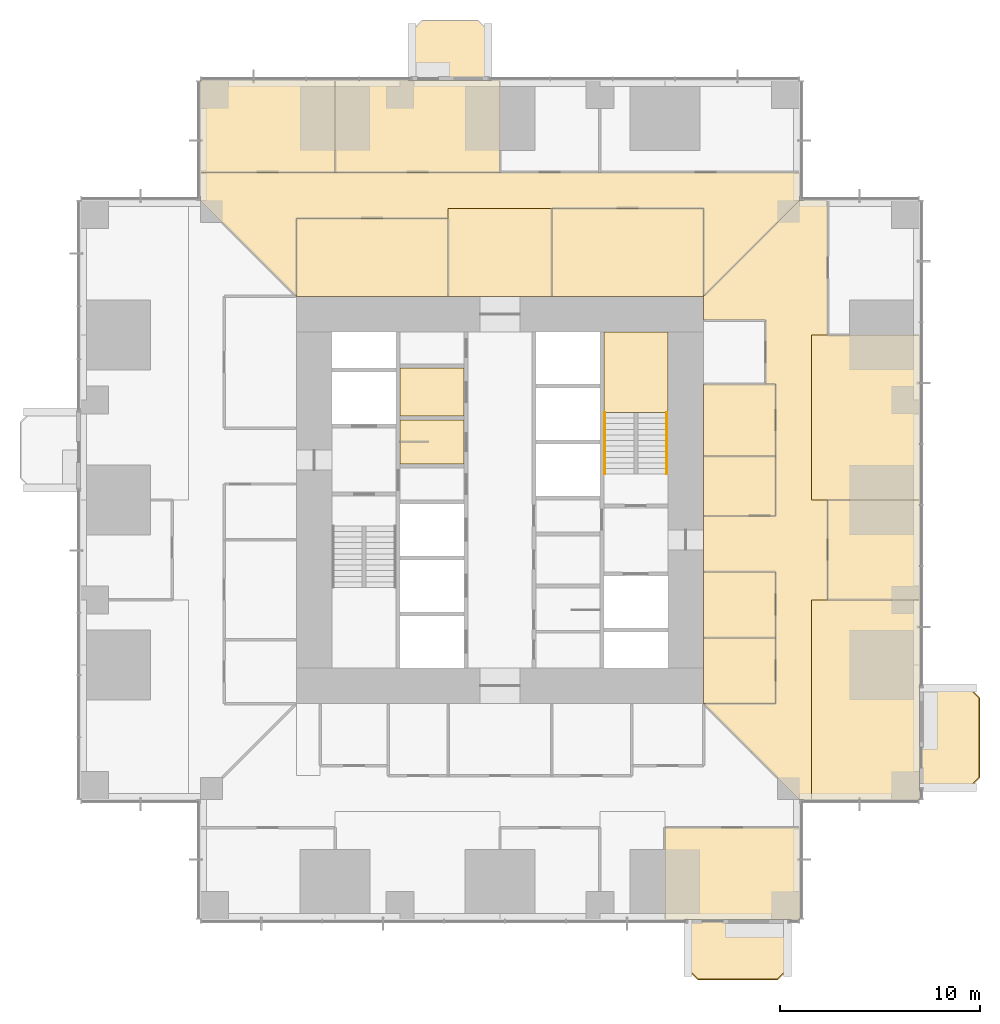
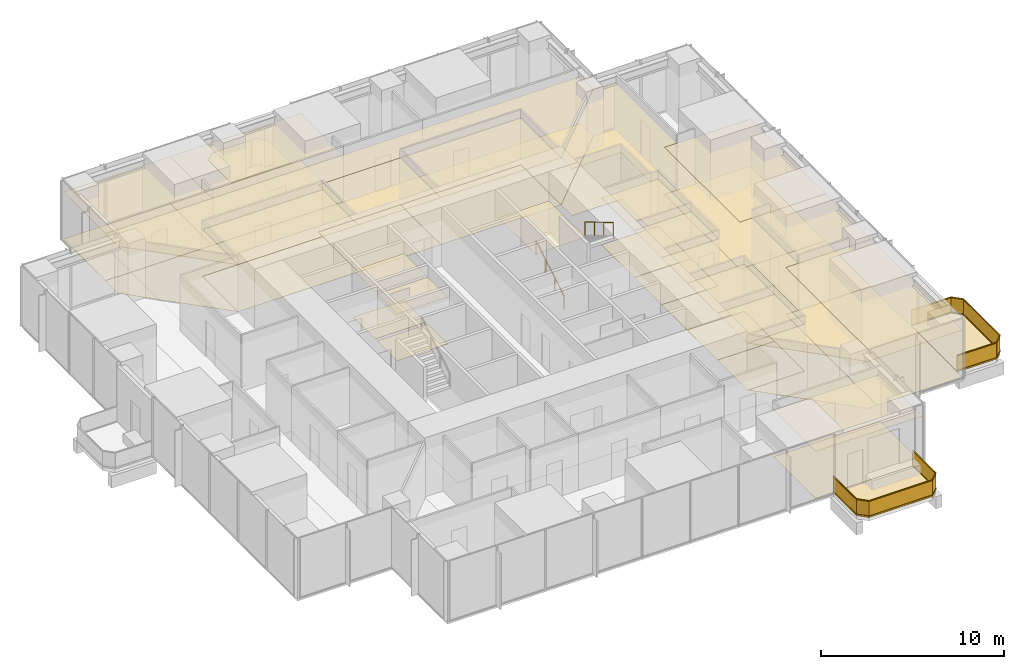
# One storey, part 14 of 16: 38 coverings, 4 railings.
"""IFC4 building model written with IfcOpenShell, lengths in metres."""

import ifcopenshell
import ifcopenshell.guid

model = None  # the IFC model being written
_history = None  # IfcOwnerHistory: only IFC2X3 demands one
_inside = {}  # id of a spatial element -> (the spatial element, [elements in it])
_under = {}  # id of a project, library or spatial element -> (it, [spatial elements below it])
_declared = {}  # id of a project -> (the project, [libraries it declares])
_typed = {}  # id of a type object -> (the type object, [elements of that type])
_made_of = {}  # id of a material, layer set ... -> (it, [elements and type objects made of it])


def new_model(schema):
    """Start an empty IFC model of exactly this schema.

    Asked for "IFC4X3", IfcOpenShell would pick the latest addendum, in which some entities
    have other attributes; the version numbers below select the first issue.
    IFC2X3 requires an IfcOwnerHistory on every rooted entity: one is made here for all.
    """
    global model, _history
    if schema == "IFC4X3":
        model = ifcopenshell.file(schema_version=(4, 3, 0, 0))
    else:
        model = ifcopenshell.file(schema=schema)
    _inside.clear()
    _under.clear()
    _declared.clear()
    _typed.clear()
    _made_of.clear()
    _history = None
    if model.schema == "IFC2X3":
        org = make("IfcOrganization", Name="unknown")
        user = make(
            "IfcPersonAndOrganization",
            ThePerson=make("IfcPerson", FamilyName="unknown"),
            TheOrganization=org,
        )
        app = make(
            "IfcApplication",
            ApplicationDeveloper=org,
            Version="unknown",
            ApplicationFullName="unknown",
            ApplicationIdentifier="unknown",
        )
        _history = make(
            "IfcOwnerHistory",
            OwningUser=user,
            OwningApplication=app,
            ChangeAction="ADDED",
            CreationDate=0,
        )
    return model


def make(cls, **values):
    """One entity of the class cls with the attributes given. An attribute that is None is left unset."""
    return model.create_entity(
        cls, **{name: value for name, value in values.items() if value is not None}
    )


def rooted(cls, **values):
    """An entity with a GlobalId (a new one), such as an element, a storey or a relation."""
    return make(cls, GlobalId=ifcopenshell.guid.new(), OwnerHistory=_history, **values)


def si_unit(unit_type, name, prefix=None):
    """IfcSIUnit, for example si_unit("LENGTHUNIT", "METRE", prefix="MILLI")."""
    return make("IfcSIUnit", UnitType=unit_type, Prefix=prefix, Name=name)


def assignment(units):
    """IfcUnitAssignment: the units of a project."""
    return None if units is None else make("IfcUnitAssignment", Units=units)


def point(xyz):
    """IfcCartesianPoint."""
    return None if xyz is None else make("IfcCartesianPoint", Coordinates=xyz)


def direction(xyz):
    """IfcDirection."""
    return None if xyz is None else make("IfcDirection", DirectionRatios=xyz)


def frame(location, z_axis=None, x_axis=None):
    """IfcAxis2Placement3D, a coordinate frame: its origin and axes. An axis left out is left unset."""
    return make(
        "IfcAxis2Placement3D",
        Location=point(location),
        Axis=direction(z_axis),
        RefDirection=direction(x_axis),
    )


def frame_2d(location, x_axis=None):
    """IfcAxis2Placement2D, a coordinate frame in the plane: its origin and x axis."""
    return make(
        "IfcAxis2Placement2D", Location=point(location), RefDirection=direction(x_axis)
    )


def origin():
    """The frame at (0, 0, 0) with its axes left unset."""
    return frame((0.0, 0.0, 0.0))


def origin_2d():
    """The frame at (0, 0) in the plane with its x axis left unset."""
    return frame_2d((0.0, 0.0))


def place(relative_to, where):
    """IfcLocalPlacement: puts the frame where relative to a parent placement (None: the world)."""
    return make(
        "IfcLocalPlacement", PlacementRelTo=relative_to, RelativePlacement=where
    )


def context(
    kind, dimensions, precision=None, world=None, true_north=None, identifier=None
):
    """IfcGeometricRepresentationContext, for example the 3D "Model" context."""
    return make(
        "IfcGeometricRepresentationContext",
        ContextIdentifier=identifier,
        ContextType=kind,
        CoordinateSpaceDimension=dimensions,
        Precision=precision,
        WorldCoordinateSystem=world,
        TrueNorth=true_north,
    )


def subcontext(parent, identifier, kind, view, scale=None):
    """IfcGeometricRepresentationSubContext, for example "Body" below "Model"."""
    return make(
        "IfcGeometricRepresentationSubContext",
        ContextIdentifier=identifier,
        ContextType=kind,
        ParentContext=parent,
        TargetScale=scale,
        TargetView=view,
    )


def project(units=None, contexts=None):
    """IfcProject with its units and contexts."""
    return rooted(
        "IfcProject",
        Name="project",
        RepresentationContexts=contexts,
        UnitsInContext=assignment(units),
    )


def spatial(cls, under=None, at=None, **own):
    """A site, building, storey or space (cls), placed at a placement, below another one or the project."""
    s = rooted(cls, ObjectPlacement=at, **own)
    if under is not None:
        _under.setdefault(under.id(), (under, []))[1].append(s)
    return s


def polyline(points):
    """IfcPolyline through the points."""
    return make("IfcPolyline", Points=[point(p) for p in points])


def profile(cls, at=None, kind="AREA", **sizes):
    """A parametric profile (cls). Its sizes go by their IFC names, for example OverallWidth=200.0."""
    return make(cls, ProfileType=kind, Position=at, **sizes)


def rectangle(**sizes):
    """IfcRectangleProfileDef."""
    return profile("IfcRectangleProfileDef", **sizes)


def circle(**sizes):
    """IfcCircleProfileDef."""
    return profile("IfcCircleProfileDef", **sizes)


def outline(outer, holes=None, kind="AREA"):
    """IfcArbitraryClosedProfileDef: a profile drawn as a closed curve; with holes, ...WithVoids."""
    if holes is None:
        return make("IfcArbitraryClosedProfileDef", ProfileType=kind, OuterCurve=outer)
    return make(
        "IfcArbitraryProfileDefWithVoids",
        ProfileType=kind,
        OuterCurve=outer,
        InnerCurves=holes,
    )


def extrude(swept, where, along, depth):
    """IfcExtrudedAreaSolid: the profile swept, set in the frame where, extruded along a direction by depth."""
    return make(
        "IfcExtrudedAreaSolid",
        SweptArea=swept,
        Position=where,
        ExtrudedDirection=direction(along),
        Depth=depth,
    )


def shape(context_of_items, identifier, shape_type, items):
    """IfcShapeRepresentation: the items that make up one representation, for example the "Body"."""
    return make(
        "IfcShapeRepresentation",
        ContextOfItems=context_of_items,
        RepresentationIdentifier=identifier,
        RepresentationType=shape_type,
        Items=items,
    )


def material(Name=None, Category=None):
    """IfcMaterial."""
    return make("IfcMaterial", Name=Name, Category=Category)


def layer(
    of_material, thickness, ventilated=None, Name=None, Category=None, Priority=None
):
    """IfcMaterialLayer: one layer of a wall or slab, of a material (None: an air gap)."""
    return make(
        "IfcMaterialLayer",
        Material=of_material,
        LayerThickness=thickness,
        IsVentilated=ventilated,
        Name=Name,
        Category=Category,
        Priority=Priority,
    )


def layer_set(layers, Name=None):
    """IfcMaterialLayerSet."""
    return make("IfcMaterialLayerSet", MaterialLayers=layers, LayerSetName=Name)


def made_of(thing, what):
    """Note that an element or type object is made of a material, layer set ...; save() writes the relation."""
    if what is not None:
        _made_of.setdefault(what.id(), (what, []))[1].append(thing)
    return thing


def type_object(cls, material=None, **own):
    """A type object (cls), such as IfcWallType, which elements share."""
    return made_of(rooted(cls, **own), material)


def element(
    cls,
    number,
    at=None,
    inside=None,
    cuts=None,
    type_object=None,
    material=None,
    context=None,
    identifier="Body",
    shape_type=None,
    held_by="IfcProductDefinitionShape",
    body=None,
    shapes=None,
    **own,
):
    """One element of the class cls, such as IfcWall. Its Tag is "e" and its number.

    at: its placement. inside: the storey or other place that contains it. cuts: it is an
    opening in that element (IfcRelVoidsElement). A single representation is given by context,
    identifier, shape_type and body (its items); several are given by shapes. held_by: the class
    of the entity that holds the representations. save() writes the other relations.
    """
    e = rooted(cls, Tag="e%d" % number, ObjectPlacement=at, **own)
    if body is not None:
        shapes = [shape(context, identifier, shape_type, body)]
    if shapes is not None:
        e.Representation = make(held_by, Representations=shapes)
    if inside is not None:
        _inside.setdefault(inside.id(), (inside, []))[1].append(e)
    if cuts is not None:
        rooted(
            "IfcRelVoidsElement", RelatingBuildingElement=cuts, RelatedOpeningElement=e
        )
    if type_object is not None:
        _typed.setdefault(type_object.id(), (type_object, []))[1].append(e)
    return made_of(e, material)


def aggregate(whole, parts):
    """IfcRelAggregates: a whole, such as a stair, and the parts it consists of."""
    return rooted("IfcRelAggregates", RelatingObject=whole, RelatedObjects=parts)


def save(model, path):
    """Write the relations noted so far, then the file.

    IfcRelAggregates (storeys below a building ...), IfcRelContainedInSpatialStructure (elements
    in a storey), IfcRelDefinesByType, IfcRelAssociatesMaterial and IfcRelDeclares: one each for
    every whole, place, type object, material and project.
    """
    for whole, parts in _under.values():
        aggregate(whole, parts)
    for where, things in _inside.values():
        rooted(
            "IfcRelContainedInSpatialStructure",
            RelatedElements=things,
            RelatingStructure=where,
        )
    for kind, things in _typed.values():
        rooted("IfcRelDefinesByType", RelatedObjects=things, RelatingType=kind)
    for what, things in _made_of.values():
        rooted("IfcRelAssociatesMaterial", RelatedObjects=things, RelatingMaterial=what)
    for by, libraries in _declared.values():
        rooted("IfcRelDeclares", RelatingContext=by, RelatedDefinitions=libraries)
    model.write(path)


model = new_model("IFC4")

# Units and contexts
model_context = context("Model", 3, precision=1e-05, world=origin(), true_north=direction((0.0, 1.0)))
body_context = subcontext(model_context, "Body", "Model", "MODEL_VIEW")
ifc_project = project(units=[si_unit("LENGTHUNIT", "METRE"), si_unit("AREAUNIT", "SQUARE_METRE"), si_unit("VOLUMEUNIT", "CUBIC_METRE"), si_unit("PLANEANGLEUNIT", "RADIAN"), si_unit("MASSUNIT", "GRAM", prefix="KILO")], contexts=[model_context])

# Site, building, storey
site_placement = place(None, origin())
site = spatial("IfcSite", under=ifc_project, at=site_placement, CompositionType="ELEMENT")
building_placement = place(site_placement, origin())
building = spatial("IfcBuilding", under=site, at=building_placement, Name="Svetlomir Tower", CompositionType="ELEMENT")
storey_placement = place(building_placement, frame((0.0, 0.0, 50.5)))
storey = spatial("IfcBuildingStorey", under=building, at=storey_placement, Name="L11", CompositionType="ELEMENT", Elevation=50.5)

# Railings
ifc_material_1 = material(Name="Bronze anodised aluminium and laminated glass", Category="aluminium")
railing_type_1 = type_object("IfcRailingType", Name="BALCONY GUARD GR1 1100", PredefinedType="GUARDRAIL", material=ifc_material_1)
railing_1_placement = place(storey_placement, frame((30.39990234375, 0.0, 0.0)))
element("IfcRailing", 1, at=railing_1_placement, inside=storey, type_object=railing_type_1, Name="Balcony guard S L11", PredefinedType="GUARDRAIL", context=body_context, shape_type="SweptSolid", body=[
    extrude(rectangle(XDim=0.06005859375, YDim=0.10009765625, at=origin_2d()), frame((0.0, 0.0, 0.050048828125), z_axis=(0.0, -1.0, 0.0), x_axis=(1.0, 0.0, 0.0)), (0.0, 0.0, 1.0), 2.5),
    extrude(rectangle(XDim=0.021484375, YDim=0.960205078125, at=origin_2d()), frame((0.0, 0.0, 0.580078125), z_axis=(0.0, -1.0, 0.0), x_axis=(1.0, 0.0, 0.0)), (0.0, 0.0, 1.0), 2.5),
    extrude(rectangle(XDim=0.06005859375, YDim=0.0400390625, at=origin_2d()), frame((0.0, 0.0, 1.080078125), z_axis=(0.0, -1.0, 0.0), x_axis=(1.0, 0.0, 0.0)), (0.0, 0.0, 1.0), 2.5),
    extrude(rectangle(XDim=0.06005859375, YDim=0.10009765625, at=origin_2d()), frame((0.0, -2.5, 0.050048828125), z_axis=(0.707106781187, -0.707106781187, 0.0), x_axis=(0.707106781187, 0.707106781187, 0.0)), (0.0, 0.0, 1.0), 0.70703125),
    extrude(rectangle(XDim=0.021484375, YDim=0.960205078125, at=origin_2d()), frame((0.0, -2.5, 0.580078125), z_axis=(0.707106781187, -0.707106781187, 0.0), x_axis=(0.707106781187, 0.707106781187, 0.0)), (0.0, 0.0, 1.0), 0.70703125),
    extrude(rectangle(XDim=0.06005859375, YDim=0.0400390625, at=origin_2d()), frame((0.0, -2.5, 1.080078125), z_axis=(0.707106781187, -0.707106781187, 0.0), x_axis=(0.707106781187, 0.707106781187, 0.0)), (0.0, 0.0, 1.0), 0.70703125),
    extrude(rectangle(XDim=0.06005859375, YDim=0.10009765625, at=origin_2d()), frame((0.5, -3.0, 0.050048828125), z_axis=(1.0, 0.0, 0.0), x_axis=(0.0, 1.0, 0.0)), (0.0, 0.0, 1.0), 4.0),
    extrude(rectangle(XDim=0.021484375, YDim=0.960205078125, at=origin_2d()), frame((0.5, -3.0, 0.580078125), z_axis=(1.0, 0.0, 0.0), x_axis=(0.0, 1.0, 0.0)), (0.0, 0.0, 1.0), 4.0),
    extrude(rectangle(XDim=0.06005859375, YDim=0.0400390625, at=origin_2d()), frame((0.5, -3.0, 1.080078125), z_axis=(1.0, 0.0, 0.0), x_axis=(0.0, 1.0, 0.0)), (0.0, 0.0, 1.0), 4.0),
    extrude(rectangle(XDim=0.06005859375, YDim=0.10009765625, at=origin_2d()), frame((4.5, -3.0, 0.050048828125), z_axis=(0.707106781187, 0.707106781187, 0.0), x_axis=(-0.707106781187, 0.707106781187, 0.0)), (0.0, 0.0, 1.0), 0.70703125),
    extrude(rectangle(XDim=0.021484375, YDim=0.960205078125, at=origin_2d()), frame((4.5, -3.0, 0.580078125), z_axis=(0.707106781187, 0.707106781187, 0.0), x_axis=(-0.707106781187, 0.707106781187, 0.0)), (0.0, 0.0, 1.0), 0.70703125),
    extrude(rectangle(XDim=0.06005859375, YDim=0.0400390625, at=origin_2d()), frame((4.5, -3.0, 1.080078125), z_axis=(0.707106781187, 0.707106781187, 0.0), x_axis=(-0.707106781187, 0.707106781187, 0.0)), (0.0, 0.0, 1.0), 0.70703125),
    extrude(rectangle(XDim=0.06005859375, YDim=0.10009765625, at=origin_2d()), frame((5.0, -2.5, 0.050048828125), z_axis=(0.0, 1.0, 0.0), x_axis=(-1.0, 0.0, 0.0)), (0.0, 0.0, 1.0), 2.5),
    extrude(rectangle(XDim=0.021484375, YDim=0.960205078125, at=origin_2d()), frame((5.0, -2.5, 0.580078125), z_axis=(0.0, 1.0, 0.0), x_axis=(-1.0, 0.0, 0.0)), (0.0, 0.0, 1.0), 2.5),
    extrude(rectangle(XDim=0.06005859375, YDim=0.0400390625, at=origin_2d()), frame((5.0, -2.5, 1.080078125), z_axis=(0.0, 1.0, 0.0), x_axis=(-1.0, 0.0, 0.0)), (0.0, 0.0, 1.0), 2.5),
])
railing_2_placement = place(storey_placement, frame((42.0, 6.60009765625, 0.0)))
element("IfcRailing", 2, at=railing_2_placement, inside=storey, type_object=railing_type_1, Name="Balcony guard E L11", PredefinedType="GUARDRAIL", context=body_context, shape_type="SweptSolid", body=[
    extrude(rectangle(XDim=0.06005859375, YDim=0.10009765625, at=origin_2d()), frame((0.0, 0.0, 0.050048828125), z_axis=(1.0, 0.0, 0.0), x_axis=(0.0, 1.0, 0.0)), (0.0, 0.0, 1.0), 2.5),
    extrude(rectangle(XDim=0.021484375, YDim=0.960205078125, at=origin_2d()), frame((0.0, 0.0, 0.580078125), z_axis=(1.0, 0.0, 0.0), x_axis=(0.0, 1.0, 0.0)), (0.0, 0.0, 1.0), 2.5),
    extrude(rectangle(XDim=0.06005859375, YDim=0.0400390625, at=origin_2d()), frame((0.0, 0.0, 1.080078125), z_axis=(1.0, 0.0, 0.0), x_axis=(0.0, 1.0, 0.0)), (0.0, 0.0, 1.0), 2.5),
    extrude(rectangle(XDim=0.06005859375, YDim=0.10009765625, at=origin_2d()), frame((2.5, 0.0, 0.050048828125), z_axis=(0.707106781187, 0.707106781187, 0.0), x_axis=(-0.707106781187, 0.707106781187, 0.0)), (0.0, 0.0, 1.0), 0.70703125),
    extrude(rectangle(XDim=0.021484375, YDim=0.960205078125, at=origin_2d()), frame((2.5, 0.0, 0.580078125), z_axis=(0.707106781187, 0.707106781187, 0.0), x_axis=(-0.707106781187, 0.707106781187, 0.0)), (0.0, 0.0, 1.0), 0.70703125),
    extrude(rectangle(XDim=0.06005859375, YDim=0.0400390625, at=origin_2d()), frame((2.5, 0.0, 1.080078125), z_axis=(0.707106781187, 0.707106781187, 0.0), x_axis=(-0.707106781187, 0.707106781187, 0.0)), (0.0, 0.0, 1.0), 0.70703125),
    extrude(rectangle(XDim=0.06005859375, YDim=0.10009765625, at=origin_2d()), frame((3.0, 0.5, 0.050048828125), z_axis=(0.0, 1.0, 0.0), x_axis=(-1.0, 0.0, 0.0)), (0.0, 0.0, 1.0), 4.0),
    extrude(rectangle(XDim=0.021484375, YDim=0.960205078125, at=origin_2d()), frame((3.0, 0.5, 0.580078125), z_axis=(0.0, 1.0, 0.0), x_axis=(-1.0, 0.0, 0.0)), (0.0, 0.0, 1.0), 4.0),
    extrude(rectangle(XDim=0.06005859375, YDim=0.0400390625, at=origin_2d()), frame((3.0, 0.5, 1.080078125), z_axis=(0.0, 1.0, 0.0), x_axis=(-1.0, 0.0, 0.0)), (0.0, 0.0, 1.0), 4.0),
    extrude(rectangle(XDim=0.06005859375, YDim=0.10009765625, at=origin_2d()), frame((3.0, 4.5, 0.050048828125), z_axis=(-0.707106781187, 0.707106781187, 0.0), x_axis=(-0.707106781187, -0.707106781187, 0.0)), (0.0, 0.0, 1.0), 0.70703125),
    extrude(rectangle(XDim=0.021484375, YDim=0.960205078125, at=origin_2d()), frame((3.0, 4.5, 0.580078125), z_axis=(-0.707106781187, 0.707106781187, 0.0), x_axis=(-0.707106781187, -0.707106781187, 0.0)), (0.0, 0.0, 1.0), 0.70703125),
    extrude(rectangle(XDim=0.06005859375, YDim=0.0400390625, at=origin_2d()), frame((3.0, 4.5, 1.080078125), z_axis=(-0.707106781187, 0.707106781187, 0.0), x_axis=(-0.707106781187, -0.707106781187, 0.0)), (0.0, 0.0, 1.0), 0.70703125),
    extrude(rectangle(XDim=0.06005859375, YDim=0.10009765625, at=origin_2d()), frame((2.5, 5.0, 0.050048828125), z_axis=(-1.0, 0.0, 0.0), x_axis=(0.0, -1.0, 0.0)), (0.0, 0.0, 1.0), 2.5),
    extrude(rectangle(XDim=0.021484375, YDim=0.960205078125, at=origin_2d()), frame((2.5, 5.0, 0.580078125), z_axis=(-1.0, 0.0, 0.0), x_axis=(0.0, -1.0, 0.0)), (0.0, 0.0, 1.0), 2.5),
    extrude(rectangle(XDim=0.06005859375, YDim=0.0400390625, at=origin_2d()), frame((2.5, 5.0, 1.080078125), z_axis=(-1.0, 0.0, 0.0), x_axis=(0.0, -1.0, 0.0)), (0.0, 0.0, 1.0), 2.5),
])

# Coverings
ifc_material_2 = material(Name="Granite paving slabs on pedestals", Category="masonry")
ifc_layer_1 = layer(ifc_material_2, 0.0400390625)
ifc_layer_set_1 = layer_set([ifc_layer_1], Name="Granite paving slabs on pedestals")
covering_type_1 = type_object("IfcCoveringType", Name="BALCONY PAVING 40", PredefinedType="USERDEFINED", material=ifc_layer_set_1)
covering_1_placement = place(storey_placement, origin())
element("IfcCovering", 3, at=covering_1_placement, inside=storey, type_object=covering_type_1, Name="Balcony paving S L11", ObjectType="BALCONY PAVING", PredefinedType="USERDEFINED", context=body_context, shape_type="SweptSolid", body=[
    extrude(outline(polyline([(30.39990234375, -2.5), (30.89990234375, -3.0), (34.89990234375, -3.0), (35.39990234375, -2.5), (35.39990234375, 0.0), (30.39990234375, 0.0), (30.39990234375, -2.5)])), origin(), (0.0, 0.0, 1.0), 0.0400390625),
])
covering_2_placement = place(storey_placement, origin())
element("IfcCovering", 4, at=covering_2_placement, inside=storey, type_object=covering_type_1, Name="Balcony paving E L11", ObjectType="BALCONY PAVING", PredefinedType="USERDEFINED", context=body_context, shape_type="SweptSolid", body=[
    extrude(outline(polyline([(42.0, 6.60009765625), (44.5, 6.60009765625), (45.0, 7.10009765625), (45.0, 11.10009765625), (44.5, 11.60009765625), (42.0, 11.60009765625), (42.0, 6.60009765625)])), origin(), (0.0, 0.0, 1.0), 0.0400390625),
])
covering_3_placement = place(storey_placement, origin())
element("IfcCovering", 5, at=covering_3_placement, inside=storey, type_object=covering_type_1, Name="Balcony paving N L11", ObjectType="BALCONY PAVING", PredefinedType="USERDEFINED", context=body_context, shape_type="SweptSolid", body=[
    extrude(outline(polyline([(16.60009765625, 42.0), (20.39990234375, 42.0), (20.39990234375, 44.5), (19.89990234375, 45.0), (17.10009765625, 45.0), (16.60009765625, 44.5), (16.60009765625, 42.0)])), origin(), (0.0, 0.0, 1.0), 0.0400390625),
])
ifc_material_3 = material(Name="Carpet tile", Category="textile")
ifc_layer_2 = layer(ifc_material_3, 0.010009765625)
ifc_layer_set_2 = layer_set([ifc_layer_2], Name="Carpet tile")
covering_type_2 = type_object("IfcCoveringType", Name="CARPET TILE FLOOR 10", PredefinedType="FLOORING", material=ifc_layer_set_2)
covering_4_placement = place(storey_placement, origin())
element("IfcCovering", 6, at=covering_4_placement, inside=storey, type_object=covering_type_2, Name="Floor finish L11-20", PredefinedType="FLOORING", context=body_context, shape_type="SweptSolid", body=[
    extrude(outline(polyline([(29.25, 0.0), (36.0, 0.0), (36.0, 4.60009765625), (29.25, 4.60009765625), (29.25, 0.0)])), origin(), (0.0, 0.0, 1.0), 0.010009765625),
])
covering_5_placement = place(storey_placement, origin())
element("IfcCovering", 7, at=covering_5_placement, inside=storey, type_object=covering_type_2, Name="Floor finish L11-21", PredefinedType="FLOORING", context=body_context, shape_type="SweptSolid", body=[
    extrude(outline(polyline([(31.199951171875, 10.800048828125), (34.800048828125, 10.800048828125), (34.800048828125, 14.10009765625), (31.199951171875, 14.10009765625), (31.199951171875, 10.800048828125)])), origin(), (0.0, 0.0, 1.0), 0.010009765625),
])
covering_6_placement = place(storey_placement, origin())
element("IfcCovering", 8, at=covering_6_placement, inside=storey, type_object=covering_type_2, Name="Floor finish L11-22", PredefinedType="FLOORING", context=body_context, shape_type="SweptSolid", body=[
    extrude(outline(polyline([(31.199951171875, 14.10009765625), (34.800048828125, 14.10009765625), (34.800048828125, 17.39990234375), (31.199951171875, 17.39990234375), (31.199951171875, 14.10009765625)])), origin(), (0.0, 0.0, 1.0), 0.010009765625),
])
covering_7_placement = place(storey_placement, origin())
element("IfcCovering", 9, at=covering_7_placement, inside=storey, type_object=covering_type_2, Name="Floor finish L11-23", PredefinedType="FLOORING", context=body_context, shape_type="SweptSolid", body=[
    extrude(outline(polyline([(31.199951171875, 23.199951171875), (34.800048828125, 23.199951171875), (34.800048828125, 26.800048828125), (31.199951171875, 26.800048828125), (31.199951171875, 23.199951171875)])), origin(), (0.0, 0.0, 1.0), 0.010009765625),
])
covering_8_placement = place(storey_placement, origin())
element("IfcCovering", 10, at=covering_8_placement, inside=storey, type_object=covering_type_2, Name="Floor finish L11-25", PredefinedType="FLOORING", context=body_context, shape_type="SweptSolid", body=[
    extrude(outline(polyline([(37.39990234375, 16.0), (42.0, 16.0), (42.0, 21.0), (37.39990234375, 21.0), (37.39990234375, 16.0)])), origin(), (0.0, 0.0, 1.0), 0.010009765625),
])
covering_9_placement = place(storey_placement, origin())
element("IfcCovering", 11, at=covering_9_placement, inside=storey, type_object=covering_type_2, Name="Floor finish L11-27", PredefinedType="FLOORING", context=body_context, shape_type="SweptSolid", body=[
    extrude(outline(polyline([(10.800048828125, 31.199951171875), (18.39990234375, 31.199951171875), (18.39990234375, 35.10009765625), (10.800048828125, 35.10009765625), (10.800048828125, 31.199951171875)])), origin(), (0.0, 0.0, 1.0), 0.010009765625),
])
covering_10_placement = place(storey_placement, origin())
element("IfcCovering", 12, at=covering_10_placement, inside=storey, type_object=covering_type_2, Name="Floor finish L11-28", PredefinedType="FLOORING", context=body_context, shape_type="SweptSolid", body=[
    extrude(outline(polyline([(23.60009765625, 31.199951171875), (31.199951171875, 31.199951171875), (31.199951171875, 35.60009765625), (23.60009765625, 35.60009765625), (23.60009765625, 31.199951171875)])), origin(), (0.0, 0.0, 1.0), 0.010009765625),
])
covering_11_placement = place(storey_placement, origin())
element("IfcCovering", 13, at=covering_11_placement, inside=storey, type_object=covering_type_2, Name="Floor finish L11-29", PredefinedType="FLOORING", context=body_context, shape_type="SweptSolid", body=[
    extrude(outline(polyline([(6.0, 37.39990234375), (12.75, 37.39990234375), (12.75, 42.0), (6.0, 42.0), (6.0, 37.39990234375)])), origin(), (0.0, 0.0, 1.0), 0.010009765625),
])
covering_12_placement = place(storey_placement, origin())
element("IfcCovering", 14, at=covering_12_placement, inside=storey, type_object=covering_type_2, Name="Floor finish L11-36", PredefinedType="FLOORING", context=body_context, shape_type="SweptSolid", body=[
    extrude(outline(polyline([(31.199951171875, 17.39990234375), (31.199951171875, 20.199951171875), (34.800048828125, 20.199951171875), (34.800048828125, 26.800048828125), (34.300048828125, 26.800048828125), (34.300048828125, 30.0), (31.199951171875, 30.0), (31.199951171875, 31.199951171875), (36.0, 36.0), (37.39990234375, 36.0), (37.39990234375, 29.25), (36.60009765625, 29.25), (36.60009765625, 21.0), (37.39990234375, 21.0), (37.39990234375, 16.0), (36.60009765625, 16.0), (36.60009765625, 6.0), (36.0, 6.0), (31.199951171875, 10.800048828125), (34.800048828125, 10.800048828125), (34.800048828125, 17.39990234375), (31.199951171875, 17.39990234375)])), origin(), (0.0, 0.0, 1.0), 0.010009765625),
])
covering_13_placement = place(storey_placement, origin())
element("IfcCovering", 15, at=covering_13_placement, inside=storey, type_object=covering_type_2, Name="Floor finish L11-37", PredefinedType="FLOORING", context=body_context, shape_type="SweptSolid", body=[
    extrude(outline(polyline([(6.0, 37.39990234375), (36.0, 37.39990234375), (36.0, 36.0), (31.199951171875, 31.199951171875), (31.199951171875, 35.60009765625), (18.39990234375, 35.60009765625), (18.39990234375, 35.10009765625), (10.800048828125, 35.10009765625), (10.800048828125, 31.199951171875), (6.0, 36.0), (6.0, 37.39990234375)])), origin(), (0.0, 0.0, 1.0), 0.010009765625),
])
covering_14_placement = place(storey_placement, origin())
element("IfcCovering", 16, at=covering_14_placement, inside=storey, type_object=covering_type_2, Name="Floor finish L11-43", PredefinedType="FLOORING", context=body_context, shape_type="SweptSolid", body=[
    extrude(outline(polyline([(42.0, 21.0), (36.60009765625, 21.0), (36.60009765625, 29.25), (42.0, 29.25), (42.0, 21.0)])), origin(), (0.0, 0.0, 1.0), 0.010009765625),
])
covering_15_placement = place(storey_placement, origin())
element("IfcCovering", 17, at=covering_15_placement, inside=storey, type_object=covering_type_2, Name="Floor finish L11-44", PredefinedType="FLOORING", context=body_context, shape_type="SweptSolid", body=[
    extrude(outline(polyline([(42.0, 6.0), (36.60009765625, 6.0), (36.60009765625, 16.0), (42.0, 16.0), (42.0, 6.0)])), origin(), (0.0, 0.0, 1.0), 0.010009765625),
])
covering_16_placement = place(storey_placement, origin())
element("IfcCovering", 18, at=covering_16_placement, inside=storey, type_object=covering_type_2, Name="Floor finish L11-45", PredefinedType="FLOORING", context=body_context, shape_type="SweptSolid", body=[
    extrude(outline(polyline([(31.199951171875, 23.199951171875), (34.800048828125, 23.199951171875), (34.800048828125, 20.199951171875), (31.199951171875, 20.199951171875), (31.199951171875, 23.199951171875)])), origin(), (0.0, 0.0, 1.0), 0.010009765625),
])
covering_17_placement = place(storey_placement, origin())
element("IfcCovering", 19, at=covering_17_placement, inside=storey, type_object=covering_type_2, Name="Floor finish L11-46", PredefinedType="FLOORING", context=body_context, shape_type="SweptSolid", body=[
    extrude(outline(polyline([(21.0, 42.0), (21.0, 37.39990234375), (12.75, 37.39990234375), (12.75, 42.0), (21.0, 42.0)])), origin(), (0.0, 0.0, 1.0), 0.010009765625),
])
covering_18_placement = place(storey_placement, origin())
element("IfcCovering", 20, at=covering_18_placement, inside=storey, type_object=covering_type_2, Name="Floor finish L11-48", PredefinedType="FLOORING", context=body_context, shape_type="SweptSolid", body=[
    extrude(outline(polyline([(18.39990234375, 31.199951171875), (18.39990234375, 35.60009765625), (23.60009765625, 35.60009765625), (23.60009765625, 31.199951171875), (18.39990234375, 31.199951171875)])), origin(), (0.0, 0.0, 1.0), 0.010009765625),
])
ifc_material_4 = material(Name="Ceramic floor tile", Category="ceramic")
ifc_layer_3 = layer(ifc_material_4, 0.014892578125)
ifc_layer_set_3 = layer_set([ifc_layer_3], Name="Ceramic floor tile")
covering_type_3 = type_object("IfcCoveringType", Name="CERAMIC TILE FLOOR 15", PredefinedType="FLOORING", material=ifc_layer_set_3)
covering_19_placement = place(storey_placement, origin())
element("IfcCovering", 21, at=covering_19_placement, inside=storey, type_object=covering_type_3, Name="Floor finish L11-04", PredefinedType="FLOORING", context=body_context, shape_type="SweptSolid", body=[
    extrude(outline(polyline([(16.0, 22.800048828125), (19.199951171875, 22.800048828125), (19.199951171875, 25.0), (16.0, 25.0), (16.0, 22.800048828125)])), origin(), (0.0, 0.0, 1.0), 0.014892578125),
])
covering_20_placement = place(storey_placement, origin())
element("IfcCovering", 22, at=covering_20_placement, inside=storey, type_object=covering_type_3, Name="Floor finish L11-05", PredefinedType="FLOORING", context=body_context, shape_type="SweptSolid", body=[
    extrude(outline(polyline([(16.0, 25.199951171875), (19.199951171875, 25.199951171875), (19.199951171875, 27.60009765625), (16.0, 27.60009765625), (16.0, 25.199951171875)])), origin(), (0.0, 0.0, 1.0), 0.014892578125),
])

# Railings
ifc_material_5 = material(Name="Stainless steel", Category="steel")
railing_type_2 = type_object("IfcRailingType", Name="HANDRAIL HR1 900", PredefinedType="HANDRAIL", material=ifc_material_5)
railing_3_placement = place(storey_placement, frame((26.25, 22.300048828125, 0.166748046875)))
element("IfcRailing", 23, at=railing_3_placement, inside=storey, type_object=railing_type_2, Name="Handrail S2 flight 1 L11", PredefinedType="HANDRAIL", context=body_context, shape_type="SweptSolid", body=[
    extrude(circle(Radius=0.02392578125, at=origin_2d()), frame((0.0, 0.0, 0.8759765625), z_axis=(0.0, 0.859290745958, 0.51148745235), x_axis=(-1.0, 0.0, 0.0)), (0.0, 0.0, 1.0), 3.584228515625),
    extrude(circle(Radius=0.02099609375, at=origin_2d()), origin(), (0.0, 0.0, 1.0), 0.851806640625),
    extrude(circle(Radius=0.02099609375, at=origin_2d()), frame((0.0, 1.026611328125, 0.611083984375)), (0.0, 0.0, 1.0), 0.851806640625),
    extrude(circle(Radius=0.02099609375, at=origin_2d()), frame((0.0, 2.05322265625, 1.22216796875)), (0.0, 0.0, 1.0), 0.851806640625),
    extrude(circle(Radius=0.02099609375, at=origin_2d()), frame((0.0, 3.079833984375, 1.833251953125)), (0.0, 0.0, 1.0), 0.851806640625),
])
railing_4_placement = place(storey_placement, frame((29.35009765625, 25.3798828125, 2.166748046875)))
element("IfcRailing", 24, at=railing_4_placement, inside=storey, type_object=railing_type_2, Name="Handrail S2 flight 2 L11", PredefinedType="HANDRAIL", context=body_context, shape_type="SweptSolid", body=[
    extrude(circle(Radius=0.02392578125, at=origin_2d()), frame((0.0, 0.0, 0.8759765625), z_axis=(0.0, -0.859290745958, 0.51148745235), x_axis=(1.0, 0.0, 0.0)), (0.0, 0.0, 1.0), 3.584228515625),
    extrude(circle(Radius=0.02099609375, at=origin_2d()), origin(), (0.0, 0.0, 1.0), 0.851806640625),
    extrude(circle(Radius=0.02099609375, at=origin_2d()), frame((0.0, -1.026611328125, 0.611083984375)), (0.0, 0.0, 1.0), 0.851806640625),
    extrude(circle(Radius=0.02099609375, at=origin_2d()), frame((0.0, -2.05322265625, 1.22216796875)), (0.0, 0.0, 1.0), 0.851806640625),
    extrude(circle(Radius=0.02099609375, at=origin_2d()), frame((0.0, -3.079833984375, 1.833251953125)), (0.0, 0.0, 1.0), 0.851806640625),
])

# Coverings
ifc_material_6 = material(Name="Moisture resistant plasterboard ceiling", Category="gypsum")
ifc_layer_4 = layer(ifc_material_6, 0.012451171875)
ifc_layer_set_4 = layer_set([ifc_layer_4], Name="Moisture resistant plasterboard ceiling")
covering_type_4 = type_object("IfcCoveringType", Name="MOISTURE RESISTANT CEILING 12.5", PredefinedType="CEILING", material=ifc_layer_set_4)
covering_21_placement = place(storey_placement, frame((0.0, 0.0, 3.137451171875)))
element("IfcCovering", 25, at=covering_21_placement, inside=storey, type_object=covering_type_4, Name="Ceiling L11-04", PredefinedType="CEILING", context=body_context, shape_type="SweptSolid", body=[
    extrude(outline(polyline([(16.0, 22.800048828125), (19.199951171875, 22.800048828125), (19.199951171875, 25.0), (16.0, 25.0), (16.0, 22.800048828125)])), origin(), (0.0, 0.0, 1.0), 0.012451171875),
])
covering_22_placement = place(storey_placement, frame((0.0, 0.0, 3.137451171875)))
element("IfcCovering", 26, at=covering_22_placement, inside=storey, type_object=covering_type_4, Name="Ceiling L11-05", PredefinedType="CEILING", context=body_context, shape_type="SweptSolid", body=[
    extrude(outline(polyline([(16.0, 25.199951171875), (19.199951171875, 25.199951171875), (19.199951171875, 27.60009765625), (16.0, 27.60009765625), (16.0, 25.199951171875)])), origin(), (0.0, 0.0, 1.0), 0.012451171875),
])
ifc_material_7 = material(Name="Studded rubber floor finish", Category="rubber")
ifc_layer_5 = layer(ifc_material_7, 0.006103515625)
ifc_layer_set_5 = layer_set([ifc_layer_5], Name="Studded rubber floor finish")
covering_type_5 = type_object("IfcCoveringType", Name="RUBBER LANDING FINISH 6", PredefinedType="FLOORING", material=ifc_layer_set_5)
covering_23_placement = place(storey_placement, frame((0.0, 0.0, 2.0)))
element("IfcCovering", 27, at=covering_23_placement, inside=storey, type_object=covering_type_5, Name="Stair S2 landing finish L11", PredefinedType="FLOORING", context=body_context, shape_type="SweptSolid", body=[
    extrude(outline(polyline([(26.199951171875, 25.3798828125), (29.39990234375, 25.3798828125), (29.39990234375, 29.39990234375), (26.199951171875, 29.39990234375), (26.199951171875, 25.3798828125)])), origin(), (0.0, 0.0, 1.0), 0.006103515625),
])
ifc_material_8 = material(Name="Mineral fibre ceiling tile", Category="mineral")
ifc_layer_6 = layer(ifc_material_8, 0.02001953125)
ifc_layer_set_6 = layer_set([ifc_layer_6], Name="Mineral fibre ceiling tile")
covering_type_6 = type_object("IfcCoveringType", Name="SUSPENDED CEILING 20", PredefinedType="CEILING", material=ifc_layer_set_6)
covering_24_placement = place(storey_placement, frame((0.0, 0.0, 3.1298828125)))
element("IfcCovering", 28, at=covering_24_placement, inside=storey, type_object=covering_type_6, Name="Ceiling L11-20", PredefinedType="CEILING", context=body_context, shape_type="SweptSolid", body=[
    extrude(outline(polyline([(29.25, 0.0), (36.0, 0.0), (36.0, 4.60009765625), (29.25, 4.60009765625), (29.25, 0.0)])), origin(), (0.0, 0.0, 1.0), 0.02001953125),
])
covering_25_placement = place(storey_placement, frame((0.0, 0.0, 3.1298828125)))
element("IfcCovering", 29, at=covering_25_placement, inside=storey, type_object=covering_type_6, Name="Ceiling L11-21", PredefinedType="CEILING", context=body_context, shape_type="SweptSolid", body=[
    extrude(outline(polyline([(31.199951171875, 10.800048828125), (34.800048828125, 10.800048828125), (34.800048828125, 14.10009765625), (31.199951171875, 14.10009765625), (31.199951171875, 10.800048828125)])), origin(), (0.0, 0.0, 1.0), 0.02001953125),
])
covering_26_placement = place(storey_placement, frame((0.0, 0.0, 3.1298828125)))
element("IfcCovering", 30, at=covering_26_placement, inside=storey, type_object=covering_type_6, Name="Ceiling L11-22", PredefinedType="CEILING", context=body_context, shape_type="SweptSolid", body=[
    extrude(outline(polyline([(31.199951171875, 14.10009765625), (34.800048828125, 14.10009765625), (34.800048828125, 17.39990234375), (31.199951171875, 17.39990234375), (31.199951171875, 14.10009765625)])), origin(), (0.0, 0.0, 1.0), 0.02001953125),
])
covering_27_placement = place(storey_placement, frame((0.0, 0.0, 3.1298828125)))
element("IfcCovering", 31, at=covering_27_placement, inside=storey, type_object=covering_type_6, Name="Ceiling L11-23", PredefinedType="CEILING", context=body_context, shape_type="SweptSolid", body=[
    extrude(outline(polyline([(31.199951171875, 23.199951171875), (34.800048828125, 23.199951171875), (34.800048828125, 26.800048828125), (31.199951171875, 26.800048828125), (31.199951171875, 23.199951171875)])), origin(), (0.0, 0.0, 1.0), 0.02001953125),
])
covering_28_placement = place(storey_placement, frame((0.0, 0.0, 3.1298828125)))
element("IfcCovering", 32, at=covering_28_placement, inside=storey, type_object=covering_type_6, Name="Ceiling L11-25", PredefinedType="CEILING", context=body_context, shape_type="SweptSolid", body=[
    extrude(outline(polyline([(37.39990234375, 16.0), (42.0, 16.0), (42.0, 21.0), (37.39990234375, 21.0), (37.39990234375, 16.0)])), origin(), (0.0, 0.0, 1.0), 0.02001953125),
])
covering_29_placement = place(storey_placement, frame((0.0, 0.0, 3.1298828125)))
element("IfcCovering", 33, at=covering_29_placement, inside=storey, type_object=covering_type_6, Name="Ceiling L11-27", PredefinedType="CEILING", context=body_context, shape_type="SweptSolid", body=[
    extrude(outline(polyline([(10.800048828125, 31.199951171875), (18.39990234375, 31.199951171875), (18.39990234375, 35.10009765625), (10.800048828125, 35.10009765625), (10.800048828125, 31.199951171875)])), origin(), (0.0, 0.0, 1.0), 0.02001953125),
])
covering_30_placement = place(storey_placement, frame((0.0, 0.0, 3.1298828125)))
element("IfcCovering", 34, at=covering_30_placement, inside=storey, type_object=covering_type_6, Name="Ceiling L11-28", PredefinedType="CEILING", context=body_context, shape_type="SweptSolid", body=[
    extrude(outline(polyline([(23.60009765625, 31.199951171875), (31.199951171875, 31.199951171875), (31.199951171875, 35.60009765625), (23.60009765625, 35.60009765625), (23.60009765625, 31.199951171875)])), origin(), (0.0, 0.0, 1.0), 0.02001953125),
])
covering_31_placement = place(storey_placement, frame((0.0, 0.0, 3.1298828125)))
element("IfcCovering", 35, at=covering_31_placement, inside=storey, type_object=covering_type_6, Name="Ceiling L11-29", PredefinedType="CEILING", context=body_context, shape_type="SweptSolid", body=[
    extrude(outline(polyline([(6.0, 37.39990234375), (12.75, 37.39990234375), (12.75, 42.0), (6.0, 42.0), (6.0, 37.39990234375)])), origin(), (0.0, 0.0, 1.0), 0.02001953125),
])
covering_32_placement = place(storey_placement, frame((0.0, 0.0, 3.1298828125)))
element("IfcCovering", 36, at=covering_32_placement, inside=storey, type_object=covering_type_6, Name="Ceiling L11-36", PredefinedType="CEILING", context=body_context, shape_type="SweptSolid", body=[
    extrude(outline(polyline([(31.199951171875, 17.39990234375), (31.199951171875, 20.199951171875), (34.800048828125, 20.199951171875), (34.800048828125, 26.800048828125), (34.300048828125, 26.800048828125), (34.300048828125, 30.0), (31.199951171875, 30.0), (31.199951171875, 31.199951171875), (36.0, 36.0), (37.39990234375, 36.0), (37.39990234375, 29.25), (36.60009765625, 29.25), (36.60009765625, 21.0), (37.39990234375, 21.0), (37.39990234375, 16.0), (36.60009765625, 16.0), (36.60009765625, 6.0), (36.0, 6.0), (31.199951171875, 10.800048828125), (34.800048828125, 10.800048828125), (34.800048828125, 17.39990234375), (31.199951171875, 17.39990234375)])), origin(), (0.0, 0.0, 1.0), 0.02001953125),
])
covering_33_placement = place(storey_placement, frame((0.0, 0.0, 3.1298828125)))
element("IfcCovering", 37, at=covering_33_placement, inside=storey, type_object=covering_type_6, Name="Ceiling L11-37", PredefinedType="CEILING", context=body_context, shape_type="SweptSolid", body=[
    extrude(outline(polyline([(6.0, 37.39990234375), (36.0, 37.39990234375), (36.0, 36.0), (31.199951171875, 31.199951171875), (31.199951171875, 35.60009765625), (18.39990234375, 35.60009765625), (18.39990234375, 35.10009765625), (10.800048828125, 35.10009765625), (10.800048828125, 31.199951171875), (6.0, 36.0), (6.0, 37.39990234375)])), origin(), (0.0, 0.0, 1.0), 0.02001953125),
])
covering_34_placement = place(storey_placement, frame((0.0, 0.0, 3.1298828125)))
element("IfcCovering", 38, at=covering_34_placement, inside=storey, type_object=covering_type_6, Name="Ceiling L11-43", PredefinedType="CEILING", context=body_context, shape_type="SweptSolid", body=[
    extrude(outline(polyline([(42.0, 21.0), (36.60009765625, 21.0), (36.60009765625, 29.25), (42.0, 29.25), (42.0, 21.0)])), origin(), (0.0, 0.0, 1.0), 0.02001953125),
])
covering_35_placement = place(storey_placement, frame((0.0, 0.0, 3.1298828125)))
element("IfcCovering", 39, at=covering_35_placement, inside=storey, type_object=covering_type_6, Name="Ceiling L11-44", PredefinedType="CEILING", context=body_context, shape_type="SweptSolid", body=[
    extrude(outline(polyline([(42.0, 6.0), (36.60009765625, 6.0), (36.60009765625, 16.0), (42.0, 16.0), (42.0, 6.0)])), origin(), (0.0, 0.0, 1.0), 0.02001953125),
])
covering_36_placement = place(storey_placement, frame((0.0, 0.0, 3.1298828125)))
element("IfcCovering", 40, at=covering_36_placement, inside=storey, type_object=covering_type_6, Name="Ceiling L11-45", PredefinedType="CEILING", context=body_context, shape_type="SweptSolid", body=[
    extrude(outline(polyline([(31.199951171875, 23.199951171875), (34.800048828125, 23.199951171875), (34.800048828125, 20.199951171875), (31.199951171875, 20.199951171875), (31.199951171875, 23.199951171875)])), origin(), (0.0, 0.0, 1.0), 0.02001953125),
])
covering_37_placement = place(storey_placement, frame((0.0, 0.0, 3.1298828125)))
element("IfcCovering", 41, at=covering_37_placement, inside=storey, type_object=covering_type_6, Name="Ceiling L11-46", PredefinedType="CEILING", context=body_context, shape_type="SweptSolid", body=[
    extrude(outline(polyline([(21.0, 42.0), (21.0, 37.39990234375), (12.75, 37.39990234375), (12.75, 42.0), (21.0, 42.0)])), origin(), (0.0, 0.0, 1.0), 0.02001953125),
])
covering_38_placement = place(storey_placement, frame((0.0, 0.0, 3.1298828125)))
element("IfcCovering", 42, at=covering_38_placement, inside=storey, type_object=covering_type_6, Name="Ceiling L11-48", PredefinedType="CEILING", context=body_context, shape_type="SweptSolid", body=[
    extrude(outline(polyline([(18.39990234375, 31.199951171875), (18.39990234375, 35.60009765625), (23.60009765625, 35.60009765625), (23.60009765625, 31.199951171875), (18.39990234375, 31.199951171875)])), origin(), (0.0, 0.0, 1.0), 0.02001953125),
])

save(model, "model.ifc")
